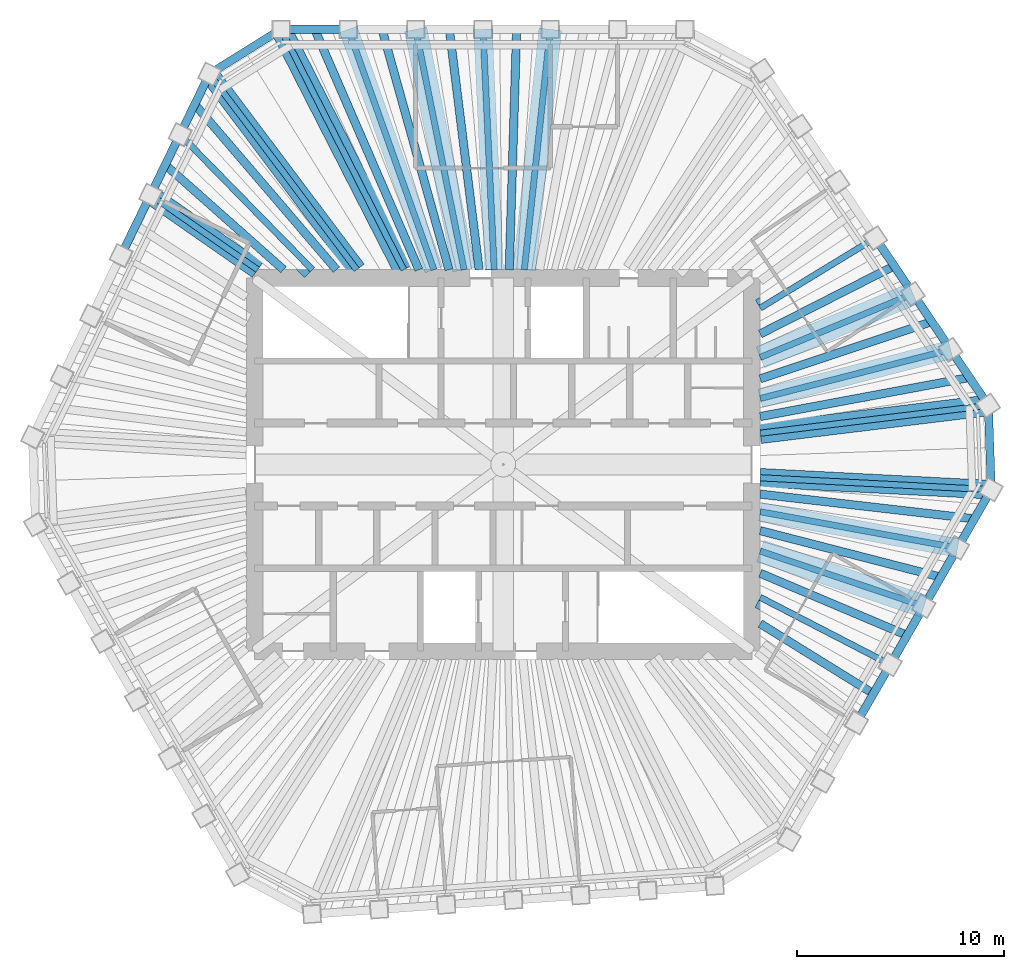
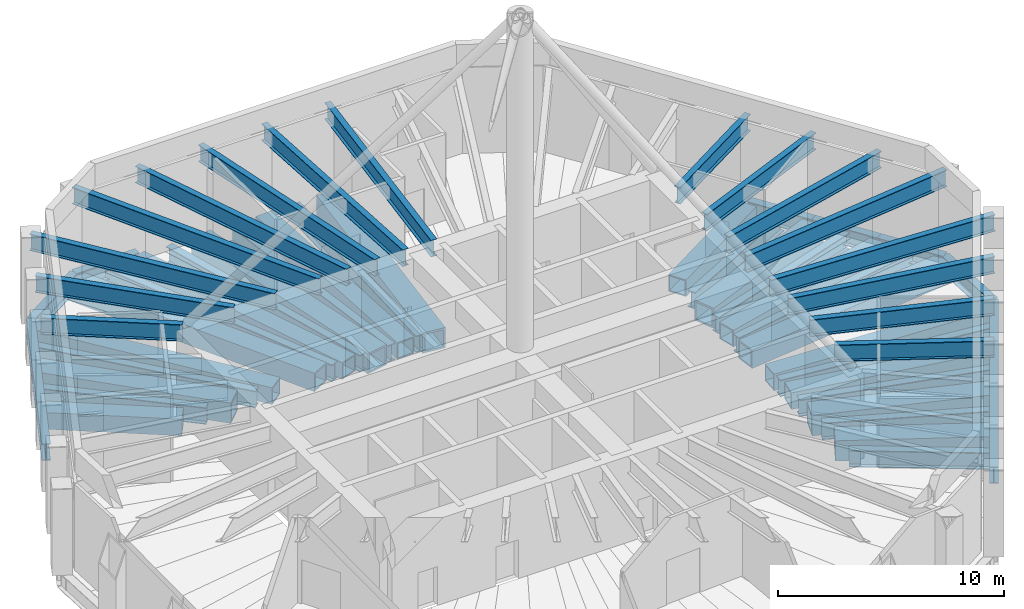
# One storey, part 2 of 9: 58 beams.
"""IFC4 building model written with IfcOpenShell, lengths in metres."""

from ifc_helpers import new_model, si_unit, direction, frame, origin, origin_2d, place, context, subcontext, project, spatial, hollow_rectangle, i_section, extrude, material, material_profile, profile_set, type_object, element, save


model = new_model("IFC4")

# Units and contexts
model_context = context("Model", 3, precision=1e-05, world=origin(), true_north=direction((0.0, 1.0)))
body_context = subcontext(model_context, "Body", "Model", "MODEL_VIEW")
ifc_project = project(units=[si_unit("LENGTHUNIT", "METRE"), si_unit("AREAUNIT", "SQUARE_METRE"), si_unit("VOLUMEUNIT", "CUBIC_METRE"), si_unit("PLANEANGLEUNIT", "RADIAN"), si_unit("MASSUNIT", "GRAM", prefix="KILO")], contexts=[model_context])

# Site, building, storey
site_placement = place(None, origin())
site = spatial("IfcSite", under=ifc_project, at=site_placement, CompositionType="ELEMENT")
building_placement = place(site_placement, origin())
building = spatial("IfcBuilding", under=site, at=building_placement, Name="Qingtian Harvest Tower", CompositionType="ELEMENT")
storey_placement = place(building_placement, frame((0.0, 0.0, 343.60009765625)))
storey = spatial("IfcBuildingStorey", under=building, at=storey_placement, Name="L76", CompositionType="ELEMENT", Elevation=343.60009765625)

# Beams
ifc_material_1 = material(Name="Steel SN490B", Category="steel")
ifc_material_profile_1 = material_profile(ifc_material_1, i_section(OverallWidth=0.39990234375, OverallDepth=0.89990234375, WebThickness=0.01904296875, FlangeThickness=0.035888671875, at=origin_2d()), Name="H900x400x19x36")
ifc_profile_set_1 = profile_set([ifc_material_profile_1], Name="Steel SN490B")
beam_type_1 = type_object("IfcBeamType", Name="Floor joist J4 H900x400x19x36", PredefinedType="JOIST", material=ifc_profile_set_1)
beam_1_placement = place(storey_placement, frame((-9.09814453125, 21.0, -0.7001953125), z_axis=(0.39753589741, -0.917586622761, 0.0), x_axis=(0.917586622761, 0.39753589741, 0.0)))
element("IfcBeam", 1, at=beam_1_placement, inside=storey, type_object=beam_type_1, Name="Floor joist J4 N0", PredefinedType="JOIST", context=body_context, shape_type="SweptSolid", body=[
    extrude(i_section(OverallWidth=0.39990234375, OverallDepth=0.89990234375, WebThickness=0.01904296875, FlangeThickness=0.035888671875, at=origin_2d()), origin(), (0.0, 0.0, 1.0), 12.641845703125),
])
beam_2_placement = place(storey_placement, frame((-5.85009765625, 21.0, -0.7001953125), z_axis=(0.268352758425, -0.963320713494, 0.0), x_axis=(0.963320713494, 0.268352758425, 0.0)))
element("IfcBeam", 2, at=beam_2_placement, inside=storey, type_object=beam_type_1, Name="Floor joist J4 N1", PredefinedType="JOIST", context=body_context, shape_type="SweptSolid", body=[
    extrude(i_section(OverallWidth=0.39990234375, OverallDepth=0.89990234375, WebThickness=0.01904296875, FlangeThickness=0.035888671875, at=origin_2d()), origin(), (0.0, 0.0, 1.0), 12.041748046875),
])
beam_3_placement = place(storey_placement, frame((-2.602294921875, 21.0, -0.7001953125), z_axis=(0.122980691304, -0.992409063626, 0.0), x_axis=(0.992409063626, 0.122980691304, 0.0)))
element("IfcBeam", 3, at=beam_3_placement, inside=storey, type_object=beam_type_1, Name="Floor joist J4 N2", PredefinedType="JOIST", context=body_context, shape_type="SweptSolid", body=[
    extrude(i_section(OverallWidth=0.39990234375, OverallDepth=0.89990234375, WebThickness=0.01904296875, FlangeThickness=0.035888671875, at=origin_2d()), origin(), (0.0, 0.0, 1.0), 11.688720703125),
])
beam_4_placement = place(storey_placement, frame((0.645751953125, 21.0, -0.7001953125), z_axis=(-0.030734305856, -0.999527589636, 0.0), x_axis=(0.999527589636, -0.030734305856, 0.0)))
element("IfcBeam", 4, at=beam_4_placement, inside=storey, type_object=beam_type_1, Name="Floor joist J4 N3", PredefinedType="JOIST", context=body_context, shape_type="SweptSolid", body=[
    extrude(i_section(OverallWidth=0.39990234375, OverallDepth=0.89990234375, WebThickness=0.01904296875, FlangeThickness=0.035888671875, at=origin_2d()), origin(), (0.0, 0.0, 1.0), 11.60546875),
])
beam_5_placement = place(storey_placement, frame((18.864990234375, 9.585693359375, -0.7001953125), z_axis=(-0.891519956149, -0.452981421018, 0.0), x_axis=(0.452981421018, -0.891519956149, 0.0)))
element("IfcBeam", 5, at=beam_5_placement, inside=storey, type_object=beam_type_1, Name="Floor joist J4 NE3", PredefinedType="JOIST", context=body_context, shape_type="SweptSolid", body=[
    extrude(i_section(OverallWidth=0.39990234375, OverallDepth=0.89990234375, WebThickness=0.01904296875, FlangeThickness=0.035888671875, at=origin_2d()), origin(), (0.0, 0.0, 1.0), 7.251708984375),
])
beam_6_placement = place(storey_placement, frame((20.68115234375, 6.89306640625, -0.7001953125), z_axis=(-0.948688891587, -0.316210984914, 0.0), x_axis=(0.316210984914, -0.948688891587, 0.0)))
element("IfcBeam", 6, at=beam_6_placement, inside=storey, type_object=beam_type_1, Name="Floor joist J4 NE4", PredefinedType="JOIST", context=body_context, shape_type="SweptSolid", body=[
    extrude(i_section(OverallWidth=0.39990234375, OverallDepth=0.89990234375, WebThickness=0.01904296875, FlangeThickness=0.035888671875, at=origin_2d()), origin(), (0.0, 0.0, 1.0), 8.729248046875),
])
beam_7_placement = place(storey_placement, frame((22.49755859375, 4.2001953125, -0.7001953125), z_axis=(-0.983018248018, -0.183507831067, 0.0), x_axis=(0.183507831067, -0.983018248018, 0.0)))
element("IfcBeam", 7, at=beam_7_placement, inside=storey, type_object=beam_type_1, Name="Floor joist J4 NE5", PredefinedType="JOIST", context=body_context, shape_type="SweptSolid", body=[
    extrude(i_section(OverallWidth=0.39990234375, OverallDepth=0.89990234375, WebThickness=0.01904296875, FlangeThickness=0.035888671875, at=origin_2d()), origin(), (0.0, 0.0, 1.0), 10.27197265625),
])
beam_8_placement = place(storey_placement, frame((22.735595703125, -2.62060546875, -0.7001953125), z_axis=(-0.993421775836, 0.114512773499, 0.0), x_axis=(-0.114512773499, -0.993421775836, 0.0)))
element("IfcBeam", 8, at=beam_8_placement, inside=storey, type_object=beam_type_1, Name="Floor joist J4 SE0", PredefinedType="JOIST", context=body_context, shape_type="SweptSolid", body=[
    extrude(i_section(OverallWidth=0.39990234375, OverallDepth=0.89990234375, WebThickness=0.01904296875, FlangeThickness=0.035888671875, at=origin_2d()), origin(), (0.0, 0.0, 1.0), 10.404052734375),
])
beam_9_placement = place(storey_placement, frame((21.111572265625, -5.43359375, -0.7001953125), z_axis=(-0.968438109541, 0.249254143374, 0.0), x_axis=(-0.249254143374, -0.968438109541, 0.0)))
element("IfcBeam", 9, at=beam_9_placement, inside=storey, type_object=beam_type_1, Name="Floor joist J4 SE1", PredefinedType="JOIST", context=body_context, shape_type="SweptSolid", body=[
    extrude(i_section(OverallWidth=0.39990234375, OverallDepth=0.89990234375, WebThickness=0.01904296875, FlangeThickness=0.035888671875, at=origin_2d()), origin(), (0.0, 0.0, 1.0), 8.99560546875),
])
beam_10_placement = place(storey_placement, frame((19.487548828125, -8.246337890625, -0.7001953125), z_axis=(-0.92094842321, 0.389684490052, 0.0), x_axis=(-0.389684490052, -0.92094842321, 0.0)))
element("IfcBeam", 10, at=beam_10_placement, inside=storey, type_object=beam_type_1, Name="Floor joist J4 SE2", PredefinedType="JOIST", context=body_context, shape_type="SweptSolid", body=[
    extrude(i_section(OverallWidth=0.39990234375, OverallDepth=0.89990234375, WebThickness=0.01904296875, FlangeThickness=0.035888671875, at=origin_2d()), origin(), (0.0, 0.0, 1.0), 7.696044921875),
])
beam_11_placement = place(storey_placement, frame((17.863525390625, -11.059326171875, -0.7001953125), z_axis=(-0.850242474743, 0.526391236765, 0.0), x_axis=(-0.526391236765, -0.850242474743, 0.0)))
element("IfcBeam", 11, at=beam_11_placement, inside=storey, type_object=beam_type_1, Name="Floor joist J4 SE3", PredefinedType="JOIST", context=body_context, shape_type="SweptSolid", body=[
    extrude(i_section(OverallWidth=0.39990234375, OverallDepth=0.89990234375, WebThickness=0.01904296875, FlangeThickness=0.035888671875, at=origin_2d()), origin(), (0.0, 0.0, 1.0), 6.426025390625),
])
beam_12_placement = place(storey_placement, frame((-16.31005859375, 14.4638671875, -0.7001953125), z_axis=(0.748174776717, -0.663501698177, 0.0), x_axis=(0.663501698177, 0.748174776717, 0.0)))
element("IfcBeam", 12, at=beam_12_placement, inside=storey, type_object=beam_type_1, Name="Floor joist J4 NW4", PredefinedType="JOIST", context=body_context, shape_type="SweptSolid", body=[
    extrude(i_section(OverallWidth=0.39990234375, OverallDepth=0.89990234375, WebThickness=0.01904296875, FlangeThickness=0.035888671875, at=origin_2d()), origin(), (0.0, 0.0, 1.0), 7.632080078125),
])
beam_13_placement = place(storey_placement, frame((-14.88623046875, 17.38330078125, -0.7001953125), z_axis=(0.650435500933, -0.75956149134, 0.0), x_axis=(0.75956149134, 0.650435500933, 0.0)))
element("IfcBeam", 13, at=beam_13_placement, inside=storey, type_object=beam_type_1, Name="Floor joist J4 NW5", PredefinedType="JOIST", context=body_context, shape_type="SweptSolid", body=[
    extrude(i_section(OverallWidth=0.39990234375, OverallDepth=0.89990234375, WebThickness=0.01904296875, FlangeThickness=0.035888671875, at=origin_2d()), origin(), (0.0, 0.0, 1.0), 10.510498046875),
])
ifc_material_2 = material(Name="Steel SM570MC", Category="steel")
ifc_material_profile_2 = material_profile(ifc_material_2, hollow_rectangle(XDim=0.89990234375, YDim=0.89990234375, WallThickness=0.06005859375, at=origin_2d()), Name="BOX900x900x60")
ifc_profile_set_2 = profile_set([ifc_material_profile_2], Name="Steel SM570MC")
beam_type_2 = type_object("IfcBeamType", Name="Outrigger chord beam OC1 BOX900x900x60", PredefinedType="BEAM", material=ifc_profile_set_2)
beam_14_placement = place(storey_placement, frame((-7.47412109375, 21.0, -0.7001953125), z_axis=(0.335293644082, -0.942113672673, 0.0), x_axis=(0.942113672673, 0.335293644082, 0.0)))
element("IfcBeam", 14, at=beam_14_placement, inside=storey, type_object=beam_type_2, Name="Floor beam OC1 N1", PredefinedType="BEAM", context=body_context, shape_type="SweptSolid", body=[
    extrude(hollow_rectangle(XDim=0.89990234375, YDim=0.89990234375, WallThickness=0.06005859375, at=origin_2d()), origin(), (0.0, 0.0, 1.0), 12.312744140625),
])
beam_15_placement = place(storey_placement, frame((-0.978271484375, 21.0, -0.7001953125), z_axis=(0.046546287853, -0.998916134161, 0.0), x_axis=(0.998916134161, 0.046546287853, 0.0)))
element("IfcBeam", 15, at=beam_15_placement, inside=storey, type_object=beam_type_2, Name="Floor beam OC1 N3", PredefinedType="BEAM", context=body_context, shape_type="SweptSolid", body=[
    extrude(hollow_rectangle(XDim=0.89990234375, YDim=0.89990234375, WallThickness=0.06005859375, at=origin_2d()), origin(), (0.0, 0.0, 1.0), 11.61279296875),
])
beam_16_placement = place(storey_placement, frame((17.956787109375, 10.93212890625, -0.7001953125), z_axis=(-0.854157247087, -0.520014804836, 0.0), x_axis=(0.520014804836, -0.854157247087, 0.0)))
element("IfcBeam", 16, at=beam_16_placement, inside=storey, type_object=beam_type_2, Name="Floor beam OC1 NE3", PredefinedType="BEAM", context=body_context, shape_type="SweptSolid", body=[
    extrude(hollow_rectangle(XDim=0.89990234375, YDim=0.89990234375, WallThickness=0.06005859375, at=origin_2d()), origin(), (0.0, 0.0, 1.0), 6.505615234375),
])
beam_17_placement = place(storey_placement, frame((21.58935546875, 5.546630859375, -0.7001953125), z_axis=(-0.96854787986, -0.248827258189, 0.0), x_axis=(0.248827258189, -0.96854787986, 0.0)))
element("IfcBeam", 17, at=beam_17_placement, inside=storey, type_object=beam_type_2, Name="Floor beam OC1 NE5", PredefinedType="BEAM", context=body_context, shape_type="SweptSolid", body=[
    extrude(hollow_rectangle(XDim=0.89990234375, YDim=0.89990234375, WallThickness=0.06005859375, at=origin_2d()), origin(), (0.0, 0.0, 1.0), 9.48779296875),
])
beam_18_placement = place(storey_placement, frame((23.547607421875, -1.21435546875, -0.7001953125), z_axis=(-0.998672618964, 0.051507282312, 0.0), x_axis=(-0.051507282312, -0.998672618964, 0.0)))
element("IfcBeam", 18, at=beam_18_placement, inside=storey, type_object=beam_type_2, Name="Floor beam OC1 SE0", PredefinedType="BEAM", context=body_context, shape_type="SweptSolid", body=[
    extrude(hollow_rectangle(XDim=0.89990234375, YDim=0.89990234375, WallThickness=0.06005859375, at=origin_2d()), origin(), (0.0, 0.0, 1.0), 11.16259765625),
])
beam_19_placement = place(storey_placement, frame((21.923583984375, -4.027099609375, -0.7001953125), z_axis=(-0.983546800525, 0.180653511389, 0.0), x_axis=(-0.180653511389, -0.983546800525, 0.0)))
element("IfcBeam", 19, at=beam_19_placement, inside=storey, type_object=beam_type_2, Name="Floor beam OC1 SE1", PredefinedType="BEAM", context=body_context, shape_type="SweptSolid", body=[
    extrude(hollow_rectangle(XDim=0.89990234375, YDim=0.89990234375, WallThickness=0.06005859375, at=origin_2d()), origin(), (0.0, 0.0, 1.0), 9.68310546875),
])
beam_20_placement = place(storey_placement, frame((-17.02197265625, 13.00439453125, -0.7001953125), z_axis=(0.820409176986, -0.571776864097, 0.0), x_axis=(0.571776864097, 0.820409176986, 0.0)))
element("IfcBeam", 20, at=beam_20_placement, inside=storey, type_object=beam_type_2, Name="Floor beam OC1 NW4", PredefinedType="BEAM", context=body_context, shape_type="SweptSolid", body=[
    extrude(hollow_rectangle(XDim=0.89990234375, YDim=0.89990234375, WallThickness=0.06005859375, at=origin_2d()), origin(), (0.0, 0.0, 1.0), 6.303955078125),
])
beam_21_placement = place(storey_placement, frame((-14.17431640625, 18.8427734375, -0.7001953125), z_axis=(0.601143201392, -0.799141321307, 0.0), x_axis=(0.799141321307, 0.601143201392, 0.0)))
element("IfcBeam", 21, at=beam_21_placement, inside=storey, type_object=beam_type_2, Name="Floor beam OC1 NW6", PredefinedType="BEAM", context=body_context, shape_type="SweptSolid", body=[
    extrude(hollow_rectangle(XDim=0.89990234375, YDim=0.89990234375, WallThickness=0.06005859375, at=origin_2d()), origin(), (0.0, 0.0, 1.0), 11.816162109375),
])
ifc_material_3 = material(Name="Steel SN490B", Category="steel")
ifc_material_profile_3 = material_profile(ifc_material_3, i_section(OverallWidth=0.300048828125, OverallDepth=0.89990234375, WebThickness=0.01611328125, FlangeThickness=0.028076171875, at=origin_2d()), Name="H900x300x16x28")
ifc_profile_set_3 = profile_set([ifc_material_profile_3], Name="Steel SN490B")
beam_type_3 = type_object("IfcBeamType", Name="Roof beam RB1 H900x300x16x28", PredefinedType="BEAM", material=ifc_profile_set_3)
beam_22_placement = place(storey_placement, frame((-10.72216796875, 21.0, 4.199951171875), z_axis=(0.454725592954, -0.890631593372, 0.0), x_axis=(0.890631593372, 0.454725592954, 0.0)))
element("IfcBeam", 22, at=beam_22_placement, inside=storey, type_object=beam_type_3, Name="Roof beam RB1 N0", PredefinedType="BEAM", context=body_context, shape_type="SweptSolid", body=[
    extrude(i_section(OverallWidth=0.300048828125, OverallDepth=0.89990234375, WebThickness=0.01611328125, FlangeThickness=0.028076171875, at=origin_2d()), origin(), (0.0, 0.0, 1.0), 13.024658203125),
])
beam_23_placement = place(storey_placement, frame((-7.47412109375, 21.0, 4.199951171875), z_axis=(0.335293644082, -0.942113672673, 0.0), x_axis=(0.942113672673, 0.335293644082, 0.0)))
element("IfcBeam", 23, at=beam_23_placement, inside=storey, type_object=beam_type_3, Name="Roof beam RB1 N1", PredefinedType="BEAM", context=body_context, shape_type="SweptSolid", body=[
    extrude(i_section(OverallWidth=0.300048828125, OverallDepth=0.89990234375, WebThickness=0.01611328125, FlangeThickness=0.028076171875, at=origin_2d()), origin(), (0.0, 0.0, 1.0), 12.312744140625),
])
beam_24_placement = place(storey_placement, frame((-4.226318359375, 21.0, 4.199951171875), z_axis=(0.197290474792, -0.980345076265, 0.0), x_axis=(0.980345076265, 0.197290474792, 0.0)))
element("IfcBeam", 24, at=beam_24_placement, inside=storey, type_object=beam_type_3, Name="Roof beam RB1 N2", PredefinedType="BEAM", context=body_context, shape_type="SweptSolid", body=[
    extrude(i_section(OverallWidth=0.300048828125, OverallDepth=0.89990234375, WebThickness=0.01611328125, FlangeThickness=0.028076171875, at=origin_2d()), origin(), (0.0, 0.0, 1.0), 11.832763671875),
])
beam_25_placement = place(storey_placement, frame((-0.978271484375, 21.0, 4.199951171875), z_axis=(0.046546287853, -0.998916134161, 0.0), x_axis=(0.998916134161, 0.046546287853, 0.0)))
element("IfcBeam", 25, at=beam_25_placement, inside=storey, type_object=beam_type_3, Name="Roof beam RB1 N3", PredefinedType="BEAM", context=body_context, shape_type="SweptSolid", body=[
    extrude(i_section(OverallWidth=0.300048828125, OverallDepth=0.89990234375, WebThickness=0.01611328125, FlangeThickness=0.028076171875, at=origin_2d()), origin(), (0.0, 0.0, 1.0), 11.61279296875),
])
beam_26_placement = place(storey_placement, frame((2.269775390625, 21.0, 4.199951171875), z_axis=(-0.107447744153, -0.994210733334, 0.0), x_axis=(0.994210733334, -0.107447744153, 0.0)))
element("IfcBeam", 26, at=beam_26_placement, inside=storey, type_object=beam_type_3, Name="Roof beam RB1 N4", PredefinedType="BEAM", context=body_context, shape_type="SweptSolid", body=[
    extrude(i_section(OverallWidth=0.300048828125, OverallDepth=0.89990234375, WebThickness=0.01611328125, FlangeThickness=0.028076171875, at=origin_2d()), origin(), (0.0, 0.0, 1.0), 11.667724609375),
])
beam_27_placement = place(storey_placement, frame((17.956787109375, 10.93212890625, 4.199951171875), z_axis=(-0.854157247087, -0.520014804836, 0.0), x_axis=(0.520014804836, -0.854157247087, 0.0)))
element("IfcBeam", 27, at=beam_27_placement, inside=storey, type_object=beam_type_3, Name="Roof beam RB1 NE3", PredefinedType="BEAM", context=body_context, shape_type="SweptSolid", body=[
    extrude(i_section(OverallWidth=0.300048828125, OverallDepth=0.89990234375, WebThickness=0.01611328125, FlangeThickness=0.028076171875, at=origin_2d()), origin(), (0.0, 0.0, 1.0), 6.505615234375),
])
beam_28_placement = place(storey_placement, frame((19.77294921875, 8.2392578125, 4.199951171875), z_axis=(-0.923069688542, -0.38463274704, 0.0), x_axis=(0.38463274704, -0.923069688542, 0.0)))
element("IfcBeam", 28, at=beam_28_placement, inside=storey, type_object=beam_type_3, Name="Roof beam RB1 NE4", PredefinedType="BEAM", context=body_context, shape_type="SweptSolid", body=[
    extrude(i_section(OverallWidth=0.300048828125, OverallDepth=0.89990234375, WebThickness=0.01611328125, FlangeThickness=0.028076171875, at=origin_2d()), origin(), (0.0, 0.0, 1.0), 7.987548828125),
])
beam_29_placement = place(storey_placement, frame((21.58935546875, 5.546630859375, 4.199951171875), z_axis=(-0.96854787986, -0.248827258189, 0.0), x_axis=(0.248827258189, -0.96854787986, 0.0)))
element("IfcBeam", 29, at=beam_29_placement, inside=storey, type_object=beam_type_3, Name="Roof beam RB1 NE5", PredefinedType="BEAM", context=body_context, shape_type="SweptSolid", body=[
    extrude(i_section(OverallWidth=0.300048828125, OverallDepth=0.89990234375, WebThickness=0.01611328125, FlangeThickness=0.028076171875, at=origin_2d()), origin(), (0.0, 0.0, 1.0), 9.48779296875),
])
beam_30_placement = place(storey_placement, frame((23.405517578125, 2.85400390625, 4.199951171875), z_axis=(-0.992647039178, -0.121044849583, 0.0), x_axis=(0.121044849583, -0.992647039178, 0.0)))
element("IfcBeam", 30, at=beam_30_placement, inside=storey, type_object=beam_type_3, Name="Roof beam RB1 NE6", PredefinedType="BEAM", context=body_context, shape_type="SweptSolid", body=[
    extrude(i_section(OverallWidth=0.300048828125, OverallDepth=0.89990234375, WebThickness=0.01611328125, FlangeThickness=0.028076171875, at=origin_2d()), origin(), (0.0, 0.0, 1.0), 11.087158203125),
])
beam_31_placement = place(storey_placement, frame((23.547607421875, -1.21435546875, 4.199951171875), z_axis=(-0.998672618964, 0.051507282312, 0.0), x_axis=(-0.051507282312, -0.998672618964, 0.0)))
element("IfcBeam", 31, at=beam_31_placement, inside=storey, type_object=beam_type_3, Name="Roof beam RB1 SE0", PredefinedType="BEAM", context=body_context, shape_type="SweptSolid", body=[
    extrude(i_section(OverallWidth=0.300048828125, OverallDepth=0.89990234375, WebThickness=0.01611328125, FlangeThickness=0.028076171875, at=origin_2d()), origin(), (0.0, 0.0, 1.0), 11.16259765625),
])
beam_32_placement = place(storey_placement, frame((21.923583984375, -4.027099609375, 4.199951171875), z_axis=(-0.983546800525, 0.180653511389, 0.0), x_axis=(-0.180653511389, -0.983546800525, 0.0)))
element("IfcBeam", 32, at=beam_32_placement, inside=storey, type_object=beam_type_3, Name="Roof beam RB1 SE1", PredefinedType="BEAM", context=body_context, shape_type="SweptSolid", body=[
    extrude(i_section(OverallWidth=0.300048828125, OverallDepth=0.89990234375, WebThickness=0.01611328125, FlangeThickness=0.028076171875, at=origin_2d()), origin(), (0.0, 0.0, 1.0), 9.68310546875),
])
beam_33_placement = place(storey_placement, frame((20.299560546875, -6.840087890625, 4.199951171875), z_axis=(-0.947647345861, 0.319318818553, 0.0), x_axis=(-0.319318818553, -0.947647345861, 0.0)))
element("IfcBeam", 33, at=beam_33_placement, inside=storey, type_object=beam_type_3, Name="Roof beam RB1 SE2", PredefinedType="BEAM", context=body_context, shape_type="SweptSolid", body=[
    extrude(i_section(OverallWidth=0.300048828125, OverallDepth=0.89990234375, WebThickness=0.01611328125, FlangeThickness=0.028076171875, at=origin_2d()), origin(), (0.0, 0.0, 1.0), 8.336181640625),
])
beam_34_placement = place(storey_placement, frame((18.675537109375, -9.65283203125, 4.199951171875), z_axis=(-0.888354253651, 0.459158708967, 0.0), x_axis=(-0.459158708967, -0.888354253651, 0.0)))
element("IfcBeam", 34, at=beam_34_placement, inside=storey, type_object=beam_type_3, Name="Roof beam RB1 SE3", PredefinedType="BEAM", context=body_context, shape_type="SweptSolid", body=[
    extrude(i_section(OverallWidth=0.300048828125, OverallDepth=0.89990234375, WebThickness=0.01611328125, FlangeThickness=0.028076171875, at=origin_2d()), origin(), (0.0, 0.0, 1.0), 7.064453125),
])
beam_35_placement = place(storey_placement, frame((-17.02197265625, 13.00439453125, 4.199951171875), z_axis=(0.820409176986, -0.571776864097, 0.0), x_axis=(0.571776864097, 0.820409176986, 0.0)))
element("IfcBeam", 35, at=beam_35_placement, inside=storey, type_object=beam_type_3, Name="Roof beam RB1 NW4", PredefinedType="BEAM", context=body_context, shape_type="SweptSolid", body=[
    extrude(i_section(OverallWidth=0.300048828125, OverallDepth=0.89990234375, WebThickness=0.01611328125, FlangeThickness=0.028076171875, at=origin_2d()), origin(), (0.0, 0.0, 1.0), 6.303955078125),
])
beam_36_placement = place(storey_placement, frame((-15.59814453125, 15.923583984375, 4.199951171875), z_axis=(0.699757003326, -0.714380946202, 0.0), x_axis=(0.714380946202, 0.699757003326, 0.0)))
element("IfcBeam", 36, at=beam_36_placement, inside=storey, type_object=beam_type_3, Name="Roof beam RB1 NW5", PredefinedType="BEAM", context=body_context, shape_type="SweptSolid", body=[
    extrude(i_section(OverallWidth=0.300048828125, OverallDepth=0.89990234375, WebThickness=0.01611328125, FlangeThickness=0.028076171875, at=origin_2d()), origin(), (0.0, 0.0, 1.0), 9.1318359375),
])
beam_37_placement = place(storey_placement, frame((-14.17431640625, 18.8427734375, 4.199951171875), z_axis=(0.601143201392, -0.799141321307, 0.0), x_axis=(0.799141321307, 0.601143201392, 0.0)))
element("IfcBeam", 37, at=beam_37_placement, inside=storey, type_object=beam_type_3, Name="Roof beam RB1 NW6", PredefinedType="BEAM", context=body_context, shape_type="SweptSolid", body=[
    extrude(i_section(OverallWidth=0.300048828125, OverallDepth=0.89990234375, WebThickness=0.01611328125, FlangeThickness=0.028076171875, at=origin_2d()), origin(), (0.0, 0.0, 1.0), 11.816162109375),
])
ifc_material_4 = material(Name="Steel SN490B", Category="steel")
ifc_material_profile_4 = material_profile(ifc_material_4, i_section(OverallWidth=0.39990234375, OverallDepth=0.89990234375, WebThickness=0.01904296875, FlangeThickness=0.035888671875, at=origin_2d()), Name="H900x400x19x36")
ifc_profile_set_4 = profile_set([ifc_material_profile_4], Name="Steel SN490B")
beam_type_4 = type_object("IfcBeamType", Name="Spandrel beam SB4 H900x400x19x36", PredefinedType="SPANDREL", material=ifc_profile_set_4)
for number, where, z_axis, x_axis, name in (
    (38, (-10.72216796875, 21.0, -0.4501953125), (1.0, 0.0, 0.0), (0.0, 1.0, 0.0), "Spandrel SB4 N0"),
    (39, (17.956787109375, 10.93212890625, -0.4501953125), (0.55915007887, -0.829066456504, 0.0), (0.829066456504, 0.55915007887, 0.0), "Spandrel SB4 NE3"),
    (40, (19.77294921875, 8.2392578125, -0.4501953125), (0.5592365864, -0.829008106372, 0.0), (0.829008106372, 0.5592365864, 0.0), "Spandrel SB4 NE4"),
):
    element("IfcBeam", number, at=place(storey_placement, frame(where, z_axis=z_axis, x_axis=x_axis)), inside=storey, type_object=beam_type_4, Name=name, PredefinedType="SPANDREL", context=body_context, shape_type="SweptSolid", body=[
        extrude(i_section(OverallWidth=0.39990234375, OverallDepth=0.89990234375, WebThickness=0.01904296875, FlangeThickness=0.035888671875, at=origin_2d()), origin(), (0.0, 0.0, 1.0), 3.248046875),
    ])
beam_38_placement = place(storey_placement, frame((21.58935546875, 5.546630859375, -0.4501953125), z_axis=(0.559184924833, -0.829042954158, 0.0), x_axis=(0.829042954158, 0.559184924833, 0.0)))
element("IfcBeam", 41, at=beam_38_placement, inside=storey, type_object=beam_type_4, Name="Spandrel SB4 NE5", PredefinedType="SPANDREL", context=body_context, shape_type="SweptSolid", body=[
    extrude(i_section(OverallWidth=0.39990234375, OverallDepth=0.89990234375, WebThickness=0.01904296875, FlangeThickness=0.035888671875, at=origin_2d()), origin(), (0.0, 0.0, 1.0), 3.247802734375),
])
beam_39_placement = place(storey_placement, frame((23.405517578125, 2.85400390625, -0.4501953125), z_axis=(0.034904306503, -0.999390659046, 0.0), x_axis=(0.999390659046, 0.034904306503, 0.0)))
element("IfcBeam", 42, at=beam_39_placement, inside=storey, type_object=beam_type_4, Name="Spandrel SB4 NEC", PredefinedType="SPANDREL", context=body_context, shape_type="SweptSolid", body=[
    extrude(i_section(OverallWidth=0.39990234375, OverallDepth=0.89990234375, WebThickness=0.01904296875, FlangeThickness=0.035888671875, at=origin_2d()), origin(), (0.0, 0.0, 1.0), 4.07080078125),
])
beam_40_placement = place(storey_placement, frame((23.547607421875, -1.21435546875, -0.4501953125), z_axis=(-0.500019593356, -0.866014091259, 0.0), x_axis=(0.866014091259, -0.500019593356, 0.0)))
element("IfcBeam", 43, at=beam_40_placement, inside=storey, type_object=beam_type_4, Name="Spandrel SB4 SE0", PredefinedType="SPANDREL", context=body_context, shape_type="SweptSolid", body=[
    extrude(i_section(OverallWidth=0.39990234375, OverallDepth=0.89990234375, WebThickness=0.01904296875, FlangeThickness=0.035888671875, at=origin_2d()), origin(), (0.0, 0.0, 1.0), 3.247802734375),
])
beam_41_placement = place(storey_placement, frame((21.923583984375, -4.027099609375, -0.4501953125), z_axis=(-0.499987045439, -0.866032882975, 0.0), x_axis=(0.866032882975, -0.499987045439, 0.0)))
element("IfcBeam", 44, at=beam_41_placement, inside=storey, type_object=beam_type_4, Name="Spandrel SB4 SE1", PredefinedType="SPANDREL", context=body_context, shape_type="SweptSolid", body=[
    extrude(i_section(OverallWidth=0.39990234375, OverallDepth=0.89990234375, WebThickness=0.01904296875, FlangeThickness=0.035888671875, at=origin_2d()), origin(), (0.0, 0.0, 1.0), 3.248046875),
])
beam_42_placement = place(storey_placement, frame((20.299560546875, -6.840087890625, -0.4501953125), z_axis=(-0.500019593356, -0.866014091259, 0.0), x_axis=(0.866014091259, -0.500019593356, 0.0)))
element("IfcBeam", 45, at=beam_42_placement, inside=storey, type_object=beam_type_4, Name="Spandrel SB4 SE2", PredefinedType="SPANDREL", context=body_context, shape_type="SweptSolid", body=[
    extrude(i_section(OverallWidth=0.39990234375, OverallDepth=0.89990234375, WebThickness=0.01904296875, FlangeThickness=0.035888671875, at=origin_2d()), origin(), (0.0, 0.0, 1.0), 3.247802734375),
])
for number, where, z_axis, x_axis, name in (
    (46, (18.675537109375, -9.65283203125, -0.4501953125), (-0.499987045439, -0.866032882975, 0.0), (0.866032882975, -0.499987045439, 0.0), "Spandrel SB4 SE3"),
    (47, (-18.44580078125, 10.0849609375, -0.4501953125), (0.438352548749, 0.898803116931, 0.0), (-0.898803116931, 0.438352548749, 0.0), "Spandrel SB4 NW3"),
):
    element("IfcBeam", number, at=place(storey_placement, frame(where, z_axis=z_axis, x_axis=x_axis)), inside=storey, type_object=beam_type_4, Name=name, PredefinedType="SPANDREL", context=body_context, shape_type="SweptSolid", body=[
        extrude(i_section(OverallWidth=0.39990234375, OverallDepth=0.89990234375, WebThickness=0.01904296875, FlangeThickness=0.035888671875, at=origin_2d()), origin(), (0.0, 0.0, 1.0), 3.248046875),
    ])
for number, where, z_axis, x_axis, name in (
    (48, (-17.02197265625, 13.00439453125, -0.4501953125), (0.438382164311, 0.898788672611, 0.0), (-0.898788672611, 0.438382164311, 0.0), "Spandrel SB4 NW4"),
    (49, (-15.59814453125, 15.923583984375, -0.4501953125), (0.438382164311, 0.898788672611, 0.0), (-0.898788672611, 0.438382164311, 0.0), "Spandrel SB4 NW5"),
):
    element("IfcBeam", number, at=place(storey_placement, frame(where, z_axis=z_axis, x_axis=x_axis)), inside=storey, type_object=beam_type_4, Name=name, PredefinedType="SPANDREL", context=body_context, shape_type="SweptSolid", body=[
        extrude(i_section(OverallWidth=0.39990234375, OverallDepth=0.89990234375, WebThickness=0.01904296875, FlangeThickness=0.035888671875, at=origin_2d()), origin(), (0.0, 0.0, 1.0), 3.247802734375),
    ])
beam_43_placement = place(storey_placement, frame((-14.17431640625, 18.8427734375, -0.4501953125), z_axis=(0.848038733752, 0.529934246919, 0.0), x_axis=(-0.529934246919, 0.848038733752, 0.0)))
element("IfcBeam", 50, at=beam_43_placement, inside=storey, type_object=beam_type_4, Name="Spandrel SB4 NWC", PredefinedType="SPANDREL", context=body_context, shape_type="SweptSolid", body=[
    extrude(i_section(OverallWidth=0.39990234375, OverallDepth=0.89990234375, WebThickness=0.01904296875, FlangeThickness=0.035888671875, at=origin_2d()), origin(), (0.0, 0.0, 1.0), 4.07080078125),
])
ifc_material_5 = material(Name="Steel SM570MC", Category="steel")
ifc_material_profile_5 = material_profile(ifc_material_5, hollow_rectangle(XDim=1.0, YDim=1.0, WallThickness=0.080078125, at=origin_2d()), Name="BOX1000x1000x80")
ifc_profile_set_5 = profile_set([ifc_material_profile_5], Name="Steel SM570MC")
beam_type_5 = type_object("IfcBeamType", Name="Transfer corner beam FB11 BOX1000x1000x80", PredefinedType="BEAM", material=ifc_profile_set_5)
beam_44_placement = place(storey_placement, frame((-10.72216796875, 21.0, -0.75), z_axis=(0.454725592954, -0.890631593372, 0.0), x_axis=(0.890631593372, 0.454725592954, 0.0)))
element("IfcBeam", 51, at=beam_44_placement, inside=storey, type_object=beam_type_5, Name="Floor beam FB11 N0", PredefinedType="BEAM", context=body_context, shape_type="SweptSolid", body=[
    extrude(hollow_rectangle(XDim=1.0, YDim=1.0, WallThickness=0.080078125, at=origin_2d()), origin(), (0.0, 0.0, 1.0), 13.024658203125),
])
beam_45_placement = place(storey_placement, frame((23.405517578125, 2.85400390625, -0.75), z_axis=(-0.992647039178, -0.121044849583, 0.0), x_axis=(0.121044849583, -0.992647039178, 0.0)))
element("IfcBeam", 52, at=beam_45_placement, inside=storey, type_object=beam_type_5, Name="Floor beam FB11 NE6", PredefinedType="BEAM", context=body_context, shape_type="SweptSolid", body=[
    extrude(hollow_rectangle(XDim=1.0, YDim=1.0, WallThickness=0.080078125, at=origin_2d()), origin(), (0.0, 0.0, 1.0), 11.087158203125),
])
ifc_material_6 = material(Name="Steel SM570MC", Category="steel")
ifc_material_profile_6 = material_profile(ifc_material_6, hollow_rectangle(XDim=1.10009765625, YDim=1.10009765625, WallThickness=0.10009765625, at=origin_2d()), Name="BOX1100x1100x100")
ifc_profile_set_6 = profile_set([ifc_material_profile_6], Name="Steel SM570MC")
beam_type_6 = type_object("IfcBeamType", Name="Transfer floor beam FB9 BOX1100x1100x100", PredefinedType="BEAM", material=ifc_profile_set_6)
beam_46_placement = place(storey_placement, frame((-4.226318359375, 21.0, -0.800048828125), z_axis=(0.197290474792, -0.980345076265, 0.0), x_axis=(0.980345076265, 0.197290474792, 0.0)))
element("IfcBeam", 53, at=beam_46_placement, inside=storey, type_object=beam_type_6, Name="Floor beam FB9 N2", PredefinedType="BEAM", context=body_context, shape_type="SweptSolid", body=[
    extrude(hollow_rectangle(XDim=1.10009765625, YDim=1.10009765625, WallThickness=0.10009765625, at=origin_2d()), origin(), (0.0, 0.0, 1.0), 11.832763671875),
])
beam_47_placement = place(storey_placement, frame((2.269775390625, 21.0, -0.800048828125), z_axis=(-0.107447744153, -0.994210733334, 0.0), x_axis=(0.994210733334, -0.107447744153, 0.0)))
element("IfcBeam", 54, at=beam_47_placement, inside=storey, type_object=beam_type_6, Name="Floor beam FB9 N4", PredefinedType="BEAM", context=body_context, shape_type="SweptSolid", body=[
    extrude(hollow_rectangle(XDim=1.10009765625, YDim=1.10009765625, WallThickness=0.10009765625, at=origin_2d()), origin(), (0.0, 0.0, 1.0), 11.667724609375),
])
beam_48_placement = place(storey_placement, frame((19.77294921875, 8.2392578125, -0.800048828125), z_axis=(-0.923069688542, -0.38463274704, 0.0), x_axis=(0.38463274704, -0.923069688542, 0.0)))
element("IfcBeam", 55, at=beam_48_placement, inside=storey, type_object=beam_type_6, Name="Floor beam FB9 NE4", PredefinedType="BEAM", context=body_context, shape_type="SweptSolid", body=[
    extrude(hollow_rectangle(XDim=1.10009765625, YDim=1.10009765625, WallThickness=0.10009765625, at=origin_2d()), origin(), (0.0, 0.0, 1.0), 7.987548828125),
])
beam_49_placement = place(storey_placement, frame((20.299560546875, -6.840087890625, -0.800048828125), z_axis=(-0.947647345861, 0.319318818553, 0.0), x_axis=(-0.319318818553, -0.947647345861, 0.0)))
element("IfcBeam", 56, at=beam_49_placement, inside=storey, type_object=beam_type_6, Name="Floor beam FB9 SE2", PredefinedType="BEAM", context=body_context, shape_type="SweptSolid", body=[
    extrude(hollow_rectangle(XDim=1.10009765625, YDim=1.10009765625, WallThickness=0.10009765625, at=origin_2d()), origin(), (0.0, 0.0, 1.0), 8.336181640625),
])
beam_50_placement = place(storey_placement, frame((18.675537109375, -9.65283203125, -0.800048828125), z_axis=(-0.888354253651, 0.459158708967, 0.0), x_axis=(-0.459158708967, -0.888354253651, 0.0)))
element("IfcBeam", 57, at=beam_50_placement, inside=storey, type_object=beam_type_6, Name="Floor beam FB9 SE3", PredefinedType="BEAM", context=body_context, shape_type="SweptSolid", body=[
    extrude(hollow_rectangle(XDim=1.10009765625, YDim=1.10009765625, WallThickness=0.10009765625, at=origin_2d()), origin(), (0.0, 0.0, 1.0), 7.064453125),
])
beam_51_placement = place(storey_placement, frame((-15.59814453125, 15.923583984375, -0.800048828125), z_axis=(0.699757003326, -0.714380946202, 0.0), x_axis=(0.714380946202, 0.699757003326, 0.0)))
element("IfcBeam", 58, at=beam_51_placement, inside=storey, type_object=beam_type_6, Name="Floor beam FB9 NW5", PredefinedType="BEAM", context=body_context, shape_type="SweptSolid", body=[
    extrude(hollow_rectangle(XDim=1.10009765625, YDim=1.10009765625, WallThickness=0.10009765625, at=origin_2d()), origin(), (0.0, 0.0, 1.0), 9.1318359375),
])

save(model, "model.ifc")
